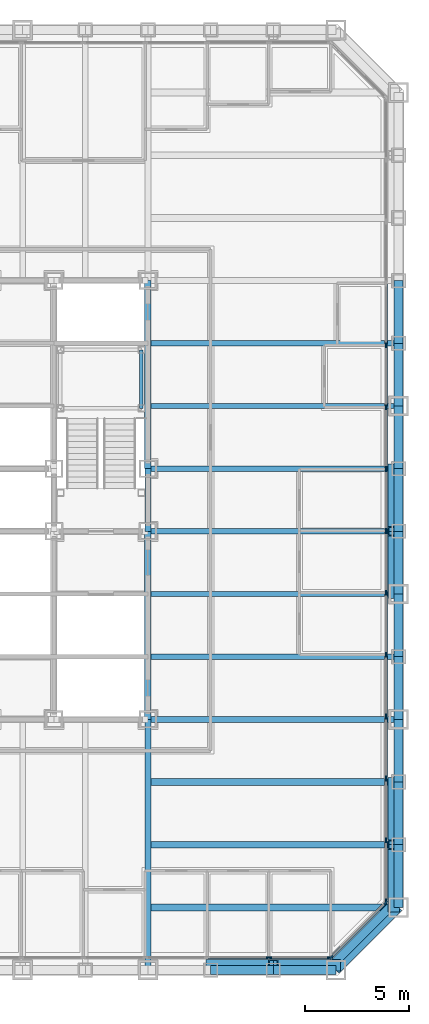
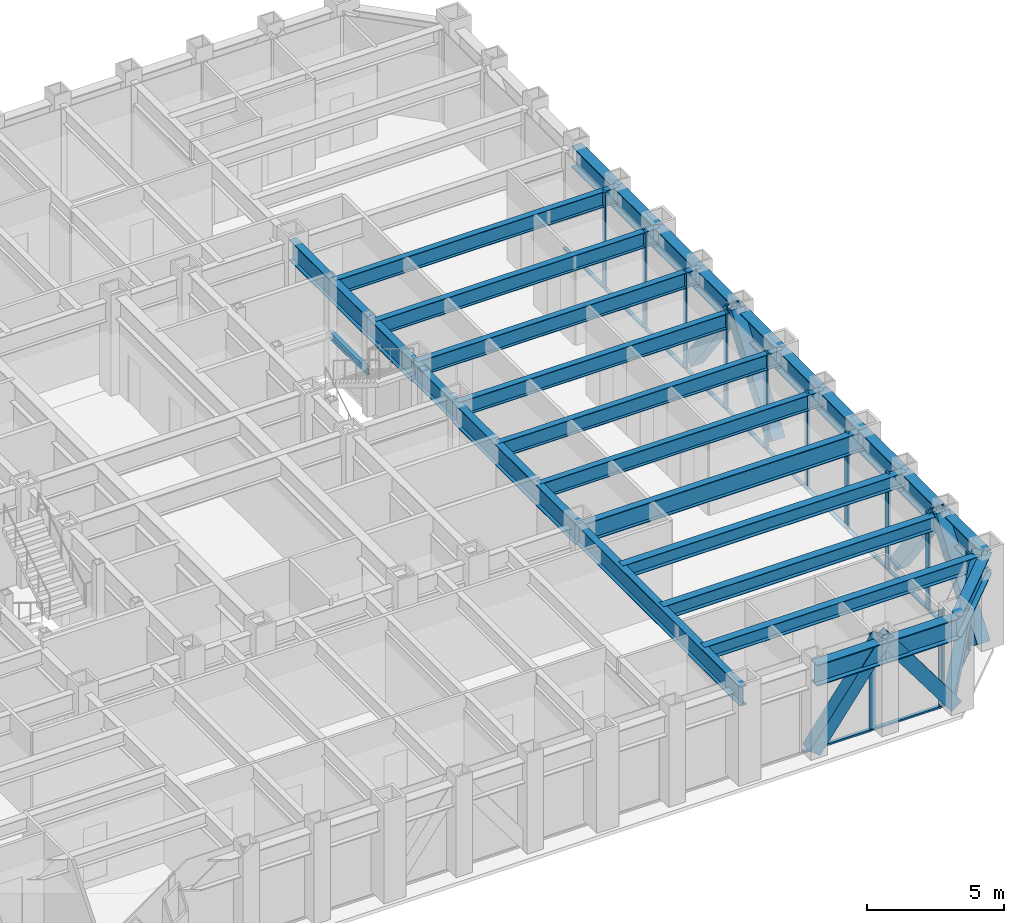
# One storey, part 4 of 16: 34 members, 28 beams, 3 elements without a shape of their own.
"""IFC4 building model written with IfcOpenShell, lengths in metres."""

from ifc_helpers import new_model, si_unit, direction, frame, origin, origin_2d, place, context, subcontext, project, spatial, rectangle, hollow_rectangle, i_section, extrude, material, layer, layer_set, material_profile, profile_set, type_object, element, aggregate, save


model = new_model("IFC4")

# Units and contexts
model_context = context("Model", 3, precision=1e-05, world=origin(), true_north=direction((0.0, 1.0)))
body_context = subcontext(model_context, "Body", "Model", "MODEL_VIEW")
ifc_project = project(units=[si_unit("LENGTHUNIT", "METRE"), si_unit("AREAUNIT", "SQUARE_METRE"), si_unit("VOLUMEUNIT", "CUBIC_METRE"), si_unit("PLANEANGLEUNIT", "RADIAN"), si_unit("MASSUNIT", "GRAM", prefix="KILO")], contexts=[model_context])

# Site, building, storey
site_placement = place(None, origin())
site = spatial("IfcSite", under=ifc_project, at=site_placement, CompositionType="ELEMENT")
building_placement = place(site_placement, origin())
building = spatial("IfcBuilding", under=site, at=building_placement, Name="Chuquiago Exchange Tower", CompositionType="ELEMENT")
storey_placement = place(building_placement, frame((0.0, 0.0, 60.300048828125)))
storey = spatial("IfcBuildingStorey", under=building, at=storey_placement, Name="L12", CompositionType="ELEMENT", Elevation=60.300048828125)

# Beams
ifc_material_1 = material(Name="Steel ASTM A992", Category="steel")
ifc_material_profile_1 = material_profile(ifc_material_1, i_section(OverallWidth=0.307373046875, OverallDepth=0.927001953125, WebThickness=0.01953125, FlangeThickness=0.031982421875, at=origin_2d()), Name="W36X194")
ifc_profile_set_1 = profile_set([ifc_material_profile_1], Name="Steel ASTM A992")
beam_type_1 = type_object("IfcBeamType", Name="B10 W36X194", PredefinedType="BEAM", material=ifc_profile_set_1)
for number, where, z_axis, x_axis, name in (
    (1, (33.0, 12.0, 3.576416015625), (0.0, 1.0, 0.0), (-1.0, 0.0, 0.0), "CB-L13-33_12-33_21"),
    (2, (33.0, 24.0, 3.576416015625), (0.0, 1.0, 0.0), (-1.0, 0.0, 0.0), "CB-L13-33_24-33_33"),
):
    element("IfcBeam", number, at=place(storey_placement, frame(where, z_axis=z_axis, x_axis=x_axis)), inside=storey, type_object=beam_type_1, Name=name, PredefinedType="BEAM", context=body_context, shape_type="SweptSolid", body=[
        extrude(i_section(OverallWidth=0.307373046875, OverallDepth=0.927001953125, WebThickness=0.01953125, FlangeThickness=0.031982421875, at=origin_2d()), origin(), (0.0, 0.0, 1.0), 9.0),
    ])
ifc_material_2 = material(Name="Steel ASTM A992", Category="steel")
ifc_material_profile_2 = material_profile(ifc_material_2, i_section(OverallWidth=0.2919921875, OverallDepth=0.8583984375, WebThickness=0.01708984375, FlangeThickness=0.031005859375, at=origin_2d()), Name="W33X169")
ifc_profile_set_2 = profile_set([ifc_material_profile_2], Name="Steel ASTM A992")
beam_type_2 = type_object("IfcBeamType", Name="B3 W33X169", PredefinedType="BEAM", material=ifc_profile_set_2)
beam_1_placement = place(storey_placement, frame((33.0, 21.0, 3.610595703125), z_axis=(0.0, 1.0, 0.0), x_axis=(-1.0, 0.0, 0.0)))
element("IfcBeam", 3, at=beam_1_placement, inside=storey, type_object=beam_type_2, Name="CB-L13-33_21-33_24", PredefinedType="BEAM", context=body_context, shape_type="SweptSolid", body=[
    extrude(i_section(OverallWidth=0.2919921875, OverallDepth=0.8583984375, WebThickness=0.01708984375, FlangeThickness=0.031005859375, at=origin_2d()), origin(), (0.0, 0.0, 1.0), 3.0),
])
ifc_material_3 = material(Name="Steel ASTM A992", Category="steel")
ifc_material_profile_3 = material_profile(ifc_material_3, i_section(OverallWidth=0.256591796875, OverallDepth=0.693359375, WebThickness=0.014404296875, FlangeThickness=0.023681640625, at=origin_2d()), Name="W27X114")
ifc_profile_set_3 = profile_set([ifc_material_profile_3], Name="Steel ASTM A992")
beam_type_3 = type_object("IfcBeamType", Name="B4 W27X114", PredefinedType="BEAM", material=ifc_profile_set_3)
for number, where, z_axis, x_axis, name in (
    (4, (33.0, 15.0, 3.693359375), (1.0, 0.0, 0.0), (0.0, 1.0, 0.0), "FB-L13-infill-33_15-45_15-0"),
    (5, (33.0, 18.0, 3.693359375), (1.0, 0.0, 0.0), (0.0, 1.0, 0.0), "FB-L13-infill-33_18-45_18-0"),
    (6, (33.0, 21.0, 3.693359375), (1.0, 0.0, 0.0), (0.0, 1.0, 0.0), "FB-L13-infill-33_21-45_21-0"),
    (7, (33.0, 24.0, 3.693359375), (1.0, 0.0, 0.0), (0.0, 1.0, 0.0), "FB-L13-infill-33_24-45_24-0"),
    (8, (33.0, 27.0, 3.693359375), (1.0, 0.0, 0.0), (0.0, 1.0, 0.0), "FB-L13-infill-33_27-45_27-0"),
    (9, (33.0, 30.0, 3.693359375), (1.0, 0.0, 0.0), (0.0, 1.0, 0.0), "FB-L13-infill-33_30-45_30-0"),
):
    element("IfcBeam", number, at=place(storey_placement, frame(where, z_axis=z_axis, x_axis=x_axis)), inside=storey, type_object=beam_type_3, Name=name, PredefinedType="BEAM", context=body_context, shape_type="SweptSolid", body=[
        extrude(i_section(OverallWidth=0.256591796875, OverallDepth=0.693359375, WebThickness=0.014404296875, FlangeThickness=0.023681640625, at=origin_2d()), origin(), (0.0, 0.0, 1.0), 12.0),
    ])
ifc_material_4 = material(Name="Steel ASTM A992", Category="steel")
ifc_material_profile_4 = material_profile(ifc_material_4, i_section(OverallWidth=0.3251953125, OverallDepth=0.6171875, WebThickness=0.013916015625, FlangeThickness=0.021484375, at=origin_2d()), Name="W24X117")
ifc_profile_set_4 = profile_set([ifc_material_profile_4], Name="Steel ASTM A992")
beam_type_4 = type_object("IfcBeamType", Name="B5 W24X117", PredefinedType="BEAM", material=ifc_profile_set_4)
for number, where, z_axis, x_axis, name in (
    (10, (33.0, 3.0, 3.7314453125), (1.0, 0.0, 0.0), (0.0, 1.0, 0.0), "FB-L13-corner-33_3-45_3-0"),
    (11, (33.0, 6.0, 3.7314453125), (1.0, 0.0, 0.0), (0.0, 1.0, 0.0), "FB-L13-corner-33_6-45_6-0"),
    (12, (33.0, 9.0, 3.7314453125), (1.0, 0.0, 0.0), (0.0, 1.0, 0.0), "FB-L13-corner-33_9-45_9-0"),
):
    element("IfcBeam", number, at=place(storey_placement, frame(where, z_axis=z_axis, x_axis=x_axis)), inside=storey, type_object=beam_type_4, Name=name, PredefinedType="BEAM", context=body_context, shape_type="SweptSolid", body=[
        extrude(i_section(OverallWidth=0.3251953125, OverallDepth=0.6171875, WebThickness=0.013916015625, FlangeThickness=0.021484375, at=origin_2d()), origin(), (0.0, 0.0, 1.0), 12.0),
    ])

# Curtain wall, members
ifc_material_5 = material(Name="Aluminium curtain wall system", Category="aluminium")
ifc_layer_1 = layer(ifc_material_5, 0.25)
ifc_layer_set_1 = layer_set([ifc_layer_1], Name="CW1 trading floor curtain wall")
curtain_wall_type_1 = type_object("IfcCurtainWallType", Name="CW1 trading floor curtain wall", PredefinedType="NOTDEFINED", material=ifc_layer_set_1)
curtain_wall_1_placement = place(storey_placement, origin())
curtain_wall_1 = element("IfcCurtainWall", 13, at=curtain_wall_1_placement, inside=storey, type_object=curtain_wall_type_1, Name="CW1 curtain wall L12", PredefinedType="NOTDEFINED")
ifc_material_6 = material(Name="Aluminium mullion, pale anodised", Category="aluminium")
ifc_material_profile_5 = material_profile(ifc_material_6, rectangle(XDim=0.074951171875, YDim=0.25, at=origin_2d()), Name="AL 75x250")
ifc_profile_set_5 = profile_set([ifc_material_profile_5], Name="Aluminium mullion, pale anodised")
member_type_1 = type_object("IfcMemberType", Name="CW1-M mullion 75x250", PredefinedType="MULLION", material=ifc_profile_set_5)
member_1_placement = place(storey_placement, frame((38.789794921875, 0.60009765625, -0.300048828125), z_axis=(0.0, 0.0, 1.0), x_axis=(0.0, 1.0, 0.0)))
member_1 = element("IfcMember", 14, at=member_1_placement, type_object=member_type_1, Name="CW1 mullion 13", PredefinedType="MULLION", context=body_context, shape_type="SweptSolid", body=[
    extrude(rectangle(XDim=0.074951171875, YDim=0.25, at=origin_2d()), origin(), (0.0, 0.0, 1.0), 4.340087890625),
])
member_2_placement = place(storey_placement, frame((41.714111328125, 0.60009765625, -0.300048828125), z_axis=(0.0, 0.0, 1.0), x_axis=(0.0, 1.0, 0.0)))
member_2 = element("IfcMember", 15, at=member_2_placement, type_object=member_type_1, Name="CW1 mullion 14", PredefinedType="MULLION", context=body_context, shape_type="SweptSolid", body=[
    extrude(rectangle(XDim=0.074951171875, YDim=0.25, at=origin_2d()), origin(), (0.0, 0.0, 1.0), 4.340087890625),
])

curtain_wall_2_placement = place(storey_placement, origin())
curtain_wall_2 = element("IfcCurtainWall", 16, at=curtain_wall_2_placement, inside=storey, type_object=curtain_wall_type_1, Name="CW1 curtain wall L12", PredefinedType="NOTDEFINED")
member_3_placement = place(storey_placement, frame((44.39990234375, 3.285888671875, -0.300048828125), z_axis=(0.0, 0.0, 1.0), x_axis=(-1.0, 0.0, 0.0)))
member_3 = element("IfcMember", 17, at=member_3_placement, type_object=member_type_1, Name="CW1 mullion 1", PredefinedType="MULLION", context=body_context, shape_type="SweptSolid", body=[
    extrude(rectangle(XDim=0.074951171875, YDim=0.25, at=origin_2d()), origin(), (0.0, 0.0, 1.0), 4.340087890625),
])
member_4_placement = place(storey_placement, frame((44.39990234375, 6.210205078125, -0.300048828125), z_axis=(0.0, 0.0, 1.0), x_axis=(-1.0, 0.0, 0.0)))
member_4 = element("IfcMember", 18, at=member_4_placement, type_object=member_type_1, Name="CW1 mullion 2", PredefinedType="MULLION", context=body_context, shape_type="SweptSolid", body=[
    extrude(rectangle(XDim=0.074951171875, YDim=0.25, at=origin_2d()), origin(), (0.0, 0.0, 1.0), 4.340087890625),
])
member_5_placement = place(storey_placement, frame((44.39990234375, 9.172119140625, -0.300048828125), z_axis=(0.0, 0.0, 1.0), x_axis=(-1.0, 0.0, 0.0)))
member_5 = element("IfcMember", 19, at=member_5_placement, type_object=member_type_1, Name="CW1 mullion 3", PredefinedType="MULLION", context=body_context, shape_type="SweptSolid", body=[
    extrude(rectangle(XDim=0.074951171875, YDim=0.25, at=origin_2d()), origin(), (0.0, 0.0, 1.0), 4.340087890625),
])
member_6_placement = place(storey_placement, frame((44.39990234375, 12.1337890625, -0.300048828125), z_axis=(0.0, 0.0, 1.0), x_axis=(-1.0, 0.0, 0.0)))
member_6 = element("IfcMember", 20, at=member_6_placement, type_object=member_type_1, Name="CW1 mullion 4", PredefinedType="MULLION", context=body_context, shape_type="SweptSolid", body=[
    extrude(rectangle(XDim=0.074951171875, YDim=0.25, at=origin_2d()), origin(), (0.0, 0.0, 1.0), 4.340087890625),
])
member_7_placement = place(storey_placement, frame((44.39990234375, 15.095458984375, -0.300048828125), z_axis=(0.0, 0.0, 1.0), x_axis=(-1.0, 0.0, 0.0)))
member_7 = element("IfcMember", 21, at=member_7_placement, type_object=member_type_1, Name="CW1 mullion 5", PredefinedType="MULLION", context=body_context, shape_type="SweptSolid", body=[
    extrude(rectangle(XDim=0.074951171875, YDim=0.25, at=origin_2d()), origin(), (0.0, 0.0, 1.0), 4.340087890625),
])
member_8_placement = place(storey_placement, frame((44.39990234375, 18.057373046875, -0.300048828125), z_axis=(0.0, 0.0, 1.0), x_axis=(-1.0, 0.0, 0.0)))
member_8 = element("IfcMember", 22, at=member_8_placement, type_object=member_type_1, Name="CW1 mullion 6", PredefinedType="MULLION", context=body_context, shape_type="SweptSolid", body=[
    extrude(rectangle(XDim=0.074951171875, YDim=0.25, at=origin_2d()), origin(), (0.0, 0.0, 1.0), 4.340087890625),
])
member_9_placement = place(storey_placement, frame((44.39990234375, 21.01904296875, -0.300048828125), z_axis=(0.0, 0.0, 1.0), x_axis=(-1.0, 0.0, 0.0)))
member_9 = element("IfcMember", 23, at=member_9_placement, type_object=member_type_1, Name="CW1 mullion 7", PredefinedType="MULLION", context=body_context, shape_type="SweptSolid", body=[
    extrude(rectangle(XDim=0.074951171875, YDim=0.25, at=origin_2d()), origin(), (0.0, 0.0, 1.0), 4.340087890625),
])
member_10_placement = place(storey_placement, frame((44.39990234375, 23.98095703125, -0.300048828125), z_axis=(0.0, 0.0, 1.0), x_axis=(-1.0, 0.0, 0.0)))
member_10 = element("IfcMember", 24, at=member_10_placement, type_object=member_type_1, Name="CW1 mullion 8", PredefinedType="MULLION", context=body_context, shape_type="SweptSolid", body=[
    extrude(rectangle(XDim=0.074951171875, YDim=0.25, at=origin_2d()), origin(), (0.0, 0.0, 1.0), 4.340087890625),
])
member_11_placement = place(storey_placement, frame((44.39990234375, 26.942626953125, -0.300048828125), z_axis=(0.0, 0.0, 1.0), x_axis=(-1.0, 0.0, 0.0)))
member_11 = element("IfcMember", 25, at=member_11_placement, type_object=member_type_1, Name="CW1 mullion 9", PredefinedType="MULLION", context=body_context, shape_type="SweptSolid", body=[
    extrude(rectangle(XDim=0.074951171875, YDim=0.25, at=origin_2d()), origin(), (0.0, 0.0, 1.0), 4.340087890625),
])
member_12_placement = place(storey_placement, frame((44.39990234375, 29.904541015625, -0.300048828125), z_axis=(0.0, 0.0, 1.0), x_axis=(-1.0, 0.0, 0.0)))
member_12 = element("IfcMember", 26, at=member_12_placement, type_object=member_type_1, Name="CW1 mullion 10", PredefinedType="MULLION", context=body_context, shape_type="SweptSolid", body=[
    extrude(rectangle(XDim=0.074951171875, YDim=0.25, at=origin_2d()), origin(), (0.0, 0.0, 1.0), 4.340087890625),
])

# Member
ifc_material_7 = material(Name="Aluminium transom, pale anodised", Category="aluminium")
ifc_material_profile_6 = material_profile(ifc_material_7, rectangle(XDim=0.14990234375, YDim=0.074951171875, at=origin_2d()), Name="AL 150x75")
ifc_profile_set_6 = profile_set([ifc_material_profile_6], Name="Aluminium transom, pale anodised")
member_type_2 = type_object("IfcMemberType", Name="CW1-T transom 75x150", PredefinedType="MULLION", material=ifc_profile_set_6)
member_13_placement = place(storey_placement, frame((35.865478515625, 0.60009765625, -0.262451171875), z_axis=(1.0, 0.0, 0.0), x_axis=(0.0, 1.0, 0.0)))
member_13 = element("IfcMember", 27, at=member_13_placement, type_object=member_type_2, Name="CW1 transom 12.1", PredefinedType="MULLION", context=body_context, shape_type="SweptSolid", body=[
    extrude(rectangle(XDim=0.14990234375, YDim=0.074951171875, at=origin_2d()), origin(), (0.0, 0.0, 1.0), 2.88671875),
])

member_14_placement = place(storey_placement, frame((38.8271484375, 0.60009765625, -0.262451171875), z_axis=(1.0, 0.0, 0.0), x_axis=(0.0, 1.0, 0.0)))
member_14 = element("IfcMember", 28, at=member_14_placement, type_object=member_type_2, Name="CW1 transom 13.1", PredefinedType="MULLION", context=body_context, shape_type="SweptSolid", body=[
    extrude(rectangle(XDim=0.14990234375, YDim=0.074951171875, at=origin_2d()), origin(), (0.0, 0.0, 1.0), 2.849365234375),
])

aggregate(curtain_wall_1, [member_1, member_2, member_13, member_14])

member_15_placement = place(storey_placement, frame((44.39990234375, 3.323486328125, -0.262451171875), z_axis=(0.0, 1.0, 0.0), x_axis=(-1.0, 0.0, 0.0)))
member_15 = element("IfcMember", 29, at=member_15_placement, type_object=member_type_2, Name="CW1 transom 1.1", PredefinedType="MULLION", context=body_context, shape_type="SweptSolid", body=[
    extrude(rectangle(XDim=0.14990234375, YDim=0.074951171875, at=origin_2d()), origin(), (0.0, 0.0, 1.0), 2.849365234375),
])

member_16_placement = place(storey_placement, frame((44.39990234375, 6.247802734375, -0.262451171875), z_axis=(0.0, 1.0, 0.0), x_axis=(-1.0, 0.0, 0.0)))
member_16 = element("IfcMember", 30, at=member_16_placement, type_object=member_type_2, Name="CW1 transom 2.1", PredefinedType="MULLION", context=body_context, shape_type="SweptSolid", body=[
    extrude(rectangle(XDim=0.14990234375, YDim=0.074951171875, at=origin_2d()), origin(), (0.0, 0.0, 1.0), 2.88671875),
])

member_17_placement = place(storey_placement, frame((44.39990234375, 9.20947265625, -0.262451171875), z_axis=(0.0, 1.0, 0.0), x_axis=(-1.0, 0.0, 0.0)))
member_17 = element("IfcMember", 31, at=member_17_placement, type_object=member_type_2, Name="CW1 transom 3.1", PredefinedType="MULLION", context=body_context, shape_type="SweptSolid", body=[
    extrude(rectangle(XDim=0.14990234375, YDim=0.074951171875, at=origin_2d()), origin(), (0.0, 0.0, 1.0), 2.88671875),
])

member_18_placement = place(storey_placement, frame((44.39990234375, 12.17138671875, -0.262451171875), z_axis=(0.0, 1.0, 0.0), x_axis=(-1.0, 0.0, 0.0)))
member_18 = element("IfcMember", 32, at=member_18_placement, type_object=member_type_2, Name="CW1 transom 4.1", PredefinedType="MULLION", context=body_context, shape_type="SweptSolid", body=[
    extrude(rectangle(XDim=0.14990234375, YDim=0.074951171875, at=origin_2d()), origin(), (0.0, 0.0, 1.0), 2.88671875),
])

member_19_placement = place(storey_placement, frame((44.39990234375, 15.133056640625, -0.262451171875), z_axis=(0.0, 1.0, 0.0), x_axis=(-1.0, 0.0, 0.0)))
member_19 = element("IfcMember", 33, at=member_19_placement, type_object=member_type_2, Name="CW1 transom 5.1", PredefinedType="MULLION", context=body_context, shape_type="SweptSolid", body=[
    extrude(rectangle(XDim=0.14990234375, YDim=0.074951171875, at=origin_2d()), origin(), (0.0, 0.0, 1.0), 2.88671875),
])

member_20_placement = place(storey_placement, frame((44.39990234375, 18.0947265625, -0.262451171875), z_axis=(0.0, 1.0, 0.0), x_axis=(-1.0, 0.0, 0.0)))
member_20 = element("IfcMember", 34, at=member_20_placement, type_object=member_type_2, Name="CW1 transom 6.1", PredefinedType="MULLION", context=body_context, shape_type="SweptSolid", body=[
    extrude(rectangle(XDim=0.14990234375, YDim=0.074951171875, at=origin_2d()), origin(), (0.0, 0.0, 1.0), 2.886962890625),
])

member_21_placement = place(storey_placement, frame((44.39990234375, 21.056640625, -0.262451171875), z_axis=(0.0, 1.0, 0.0), x_axis=(-1.0, 0.0, 0.0)))
member_21 = element("IfcMember", 35, at=member_21_placement, type_object=member_type_2, Name="CW1 transom 7.1", PredefinedType="MULLION", context=body_context, shape_type="SweptSolid", body=[
    extrude(rectangle(XDim=0.14990234375, YDim=0.074951171875, at=origin_2d()), origin(), (0.0, 0.0, 1.0), 2.88671875),
])

member_22_placement = place(storey_placement, frame((44.39990234375, 24.018310546875, -0.262451171875), z_axis=(0.0, 1.0, 0.0), x_axis=(-1.0, 0.0, 0.0)))
member_22 = element("IfcMember", 36, at=member_22_placement, type_object=member_type_2, Name="CW1 transom 8.1", PredefinedType="MULLION", context=body_context, shape_type="SweptSolid", body=[
    extrude(rectangle(XDim=0.14990234375, YDim=0.074951171875, at=origin_2d()), origin(), (0.0, 0.0, 1.0), 2.886962890625),
])

member_23_placement = place(storey_placement, frame((44.39990234375, 26.980224609375, -0.262451171875), z_axis=(0.0, 1.0, 0.0), x_axis=(-1.0, 0.0, 0.0)))
member_23 = element("IfcMember", 37, at=member_23_placement, type_object=member_type_2, Name="CW1 transom 9.1", PredefinedType="MULLION", context=body_context, shape_type="SweptSolid", body=[
    extrude(rectangle(XDim=0.14990234375, YDim=0.074951171875, at=origin_2d()), origin(), (0.0, 0.0, 1.0), 2.88671875),
])

member_24_placement = place(storey_placement, frame((44.39990234375, 29.94189453125, -0.262451171875), z_axis=(0.0, 1.0, 0.0), x_axis=(-1.0, 0.0, 0.0)))
member_24 = element("IfcMember", 38, at=member_24_placement, type_object=member_type_2, Name="CW1 transom 10.1", PredefinedType="MULLION", context=body_context, shape_type="SweptSolid", body=[
    extrude(rectangle(XDim=0.14990234375, YDim=0.074951171875, at=origin_2d()), origin(), (0.0, 0.0, 1.0), 2.88671875),
])

aggregate(curtain_wall_2, [member_3, member_4, member_5, member_6, member_7, member_8, member_9, member_10, member_11, member_12, member_15, member_16, member_17, member_18, member_19, member_20, member_21, member_22, member_23, member_24])

# Curtain wall, members
ifc_material_8 = material(Name="Aluminium curtain wall system", Category="aluminium")
ifc_layer_2 = layer(ifc_material_8, 0.199951171875)
ifc_layer_set_2 = layer_set([ifc_layer_2], Name="CW3 facet curtain wall")
curtain_wall_type_2 = type_object("IfcCurtainWallType", Name="CW3 facet curtain wall", PredefinedType="NOTDEFINED", material=ifc_layer_set_2)
curtain_wall_3_placement = place(storey_placement, origin())
curtain_wall_3 = element("IfcCurtainWall", 39, at=curtain_wall_3_placement, inside=storey, type_object=curtain_wall_type_2, Name="CW3 curtain wall L12", PredefinedType="NOTDEFINED")
ifc_material_9 = material(Name="Aluminium mullion, pale anodised", Category="aluminium")
ifc_material_profile_7 = material_profile(ifc_material_9, rectangle(XDim=0.06494140625, YDim=0.199951171875, at=origin_2d()), Name="AL 65x200")
ifc_profile_set_7 = profile_set([ifc_material_profile_7], Name="Aluminium mullion, pale anodised")
member_type_3 = type_object("IfcMemberType", Name="CW3-M mullion 65x200", PredefinedType="MULLION", material=ifc_profile_set_7)
member_25_placement = place(storey_placement, frame((41.7744140625, 0.623046875, -0.300048828125), z_axis=(0.0, 0.0, 1.0), x_axis=(-0.707106781187, 0.707106781187, 0.0)))
member_25 = element("IfcMember", 40, at=member_25_placement, type_object=member_type_3, Name="CW3 mullion 1", PredefinedType="MULLION", context=body_context, shape_type="SweptSolid", body=[
    extrude(rectangle(XDim=0.06494140625, YDim=0.199951171875, at=origin_2d()), origin(), (0.0, 0.0, 1.0), 4.340087890625),
])
member_26_placement = place(storey_placement, frame((44.376953125, 3.2255859375, -0.300048828125), z_axis=(0.0, 0.0, 1.0), x_axis=(-0.707106781187, 0.707106781187, 0.0)))
member_26 = element("IfcMember", 41, at=member_26_placement, type_object=member_type_3, Name="CW3 mullion 2", PredefinedType="MULLION", context=body_context, shape_type="SweptSolid", body=[
    extrude(rectangle(XDim=0.06494140625, YDim=0.199951171875, at=origin_2d()), origin(), (0.0, 0.0, 1.0), 4.340087890625),
])
ifc_material_10 = material(Name="Aluminium transom, pale anodised", Category="aluminium")
ifc_material_profile_8 = material_profile(ifc_material_10, rectangle(XDim=0.139892578125, YDim=0.06494140625, at=origin_2d()), Name="AL 140x65")
ifc_profile_set_8 = profile_set([ifc_material_profile_8], Name="Aluminium transom, pale anodised")
member_type_4 = type_object("IfcMemberType", Name="CW3-T transom 65x140", PredefinedType="MULLION", material=ifc_profile_set_8)
member_27_placement = place(storey_placement, frame((41.79736328125, 0.64599609375, -0.267578125), z_axis=(0.707106781187, 0.707106781187, 0.0), x_axis=(-0.707106781187, 0.707106781187, 0.0)))
member_27 = element("IfcMember", 42, at=member_27_placement, type_object=member_type_4, Name="CW3 transom 1.1", PredefinedType="MULLION", context=body_context, shape_type="SweptSolid", body=[
    extrude(rectangle(XDim=0.139892578125, YDim=0.06494140625, at=origin_2d()), origin(), (0.0, 0.0, 1.0), 3.61572265625),
])
aggregate(curtain_wall_3, [member_25, member_26, member_27])

# Beams
ifc_material_11 = material(Name="Steel ASTM A992", Category="steel")
ifc_material_profile_9 = material_profile(ifc_material_11, i_section(OverallWidth=0.2919921875, OverallDepth=0.8583984375, WebThickness=0.01708984375, FlangeThickness=0.031005859375, at=origin_2d()), Name="W33X169")
ifc_profile_set_9 = profile_set([ifc_material_profile_9], Name="Steel ASTM A992")
beam_type_5 = type_object("IfcBeamType", Name="G2 W33X169", PredefinedType="BEAM", material=ifc_profile_set_9)
for number, where, z_axis, x_axis, name in (
    (43, (33.0, 12.0, 3.610595703125), (0.0, -1.0, 0.0), (1.0, 0.0, 0.0), "FB-L13-girder-33_12-33_-0-0"),
    (44, (33.0, 12.0, 3.610595703125), (1.0, 0.0, 0.0), (0.0, 1.0, 0.0), "FB-L13-girder-33_12-45_12-0"),
):
    element("IfcBeam", number, at=place(storey_placement, frame(where, z_axis=z_axis, x_axis=x_axis)), inside=storey, type_object=beam_type_5, Name=name, PredefinedType="BEAM", context=body_context, shape_type="SweptSolid", body=[
        extrude(i_section(OverallWidth=0.2919921875, OverallDepth=0.8583984375, WebThickness=0.01708984375, FlangeThickness=0.031005859375, at=origin_2d()), origin(), (0.0, 0.0, 1.0), 12.0),
    ])

# Member
ifc_material_12 = material(Name="Steel ASTM A500 Grade C", Category="steel")
ifc_material_profile_10 = material_profile(ifc_material_12, hollow_rectangle(XDim=0.406494140625, YDim=0.406494140625, WallThickness=0.0146484375, at=origin_2d()), Name="HSS16X16X5/8")
ifc_profile_set_10 = profile_set([ifc_material_profile_10], Name="Steel ASTM A500 Grade C")
member_type_5 = type_object("IfcMemberType", Name="LB4 HSS16X16X5/8", PredefinedType="BRACE", material=ifc_profile_set_10)
member_28_placement = place(storey_placement, frame((41.78662109375, 0.21337890625, 0.0), z_axis=(0.512077265487, 0.512077265487, 0.689604051861), x_axis=(-0.707106781187, 0.707106781187, 0.0)))
element("IfcMember", 45, at=member_28_placement, inside=storey, type_object=member_type_5, Name="LB-L12-42_0-45_3", PredefinedType="BRACE", context=body_context, shape_type="SweptSolid", body=[
    extrude(hollow_rectangle(XDim=0.406494140625, YDim=0.406494140625, WallThickness=0.0146484375, at=origin_2d()), origin(), (0.0, 0.0, 1.0), 5.8583984375),
])

# Beam
ifc_material_13 = material(Name="Steel ASTM A992", Category="steel")
ifc_material_profile_11 = material_profile(ifc_material_13, i_section(OverallWidth=0.164794921875, OverallDepth=0.309814453125, WebThickness=0.005859375, FlangeThickness=0.009765625, at=origin_2d()), Name="W12X26")
ifc_profile_set_11 = profile_set([ifc_material_profile_11], Name="Steel ASTM A992")
beam_type_6 = type_object("IfcBeamType", Name="LS1 W12X26", PredefinedType="BEAM", material=ifc_profile_set_11)
beam_2_placement = place(storey_placement, frame((32.68994140625, 26.889892578125, 1.89501953125), z_axis=(0.0, 1.0, 0.0), x_axis=(-1.0, 0.0, 0.0)))
element("IfcBeam", 46, at=beam_2_placement, inside=storey, type_object=beam_type_6, Name="Stair ST2 L12 landing 1 stringer", PredefinedType="BEAM", context=body_context, shape_type="SweptSolid", body=[
    extrude(i_section(OverallWidth=0.164794921875, OverallDepth=0.309814453125, WebThickness=0.005859375, FlangeThickness=0.009765625, at=origin_2d()), origin(), (0.0, 0.0, 1.0), 2.800048828125),
])

# Members
ifc_material_14 = material(Name="Steel ASTM A572 Grade 50", Category="steel")
ifc_material_profile_12 = material_profile(ifc_material_14, hollow_rectangle(XDim=0.550048828125, YDim=0.550048828125, WallThickness=0.044921875, at=origin_2d()), Name="BOX550X550X45")
ifc_profile_set_12 = profile_set([ifc_material_profile_12], Name="Steel ASTM A572 Grade 50")
member_type_6 = type_object("IfcMemberType", Name="MB1 BOX550X550X45", PredefinedType="BRACE", material=ifc_profile_set_12)
for number, where, z_axis, x_axis, name in (
    (47, (36.0, 0.22998046875, 0.0), (0.596173923302, 0.0, 0.802855312728), (0.0, 1.0, 0.0), "Mega diagonal L12 S face"),
    (48, (42.0, 0.22998046875, 0.0), (-0.596173923302, 0.0, 0.802855312728), (0.0, -1.0, 0.0), "Mega diagonal L12 S face"),
    (49, (44.77001953125, 3.0, 0.0), (0.0, 0.596173923302, 0.802855312728), (-1.0, 0.0, 0.0), "Mega diagonal L12 E face"),
    (50, (44.77001953125, 9.0, 0.0), (0.0, -0.596173923302, 0.802855312728), (1.0, 0.0, 0.0), "Mega diagonal L12 E face"),
    (51, (44.77001953125, 18.0, 0.0), (0.0, 0.596173923302, 0.802855312728), (-1.0, 0.0, 0.0), "Mega diagonal L12 E face"),
    (52, (44.77001953125, 24.0, 0.0), (0.0, -0.596173923302, 0.802855312728), (1.0, 0.0, 0.0), "Mega diagonal L12 E face"),
):
    element("IfcMember", number, at=place(storey_placement, frame(where, z_axis=z_axis, x_axis=x_axis)), inside=storey, type_object=member_type_6, Name=name, PredefinedType="BRACE", context=body_context, shape_type="SweptSolid", body=[
        extrude(hollow_rectangle(XDim=0.550048828125, YDim=0.550048828125, WallThickness=0.044921875, at=origin_2d()), origin(), (0.0, 0.0, 1.0), 5.031982421875),
    ])

# Beams
ifc_material_15 = material(Name="Steel ASTM A992", Category="steel")
ifc_material_profile_13 = material_profile(ifc_material_15, i_section(OverallWidth=0.424072265625, OverallDepth=0.947509765625, WebThickness=0.02392578125, FlangeThickness=0.042724609375, at=origin_2d()), Name="W36X302")
ifc_profile_set_13 = profile_set([ifc_material_profile_13], Name="Steel ASTM A992")
beam_type_7 = type_object("IfcBeamType", Name="SP1 W36X302", PredefinedType="SPANDREL", material=ifc_profile_set_13)
for number, where, z_axis, x_axis, name in (
    (53, (36.0, 0.0, 3.566162109375), (1.0, 0.0, 0.0), (0.0, 1.0, 0.0), "SPB-L13-36_0-39_0"),
    (54, (39.0, 0.0, 3.566162109375), (1.0, 0.0, 0.0), (0.0, 1.0, 0.0), "SPB-L13-39_0-42_0"),
):
    element("IfcBeam", number, at=place(storey_placement, frame(where, z_axis=z_axis, x_axis=x_axis)), inside=storey, type_object=beam_type_7, Name=name, PredefinedType="SPANDREL", context=body_context, shape_type="SweptSolid", body=[
        extrude(i_section(OverallWidth=0.424072265625, OverallDepth=0.947509765625, WebThickness=0.02392578125, FlangeThickness=0.042724609375, at=origin_2d()), origin(), (0.0, 0.0, 1.0), 3.0),
    ])
beam_3_placement = place(storey_placement, frame((42.0, 0.0, 3.566162109375), z_axis=(0.707106781187, 0.707106781187, 0.0), x_axis=(-0.707106781187, 0.707106781187, 0.0)))
element("IfcBeam", 55, at=beam_3_placement, inside=storey, type_object=beam_type_7, Name="SPB-L13-42_0-45_3", PredefinedType="SPANDREL", context=body_context, shape_type="SweptSolid", body=[
    extrude(i_section(OverallWidth=0.424072265625, OverallDepth=0.947509765625, WebThickness=0.02392578125, FlangeThickness=0.042724609375, at=origin_2d()), origin(), (0.0, 0.0, 1.0), 4.24267578125),
])
for number, where, z_axis, x_axis, name in (
    (56, (45.0, 3.0, 3.566162109375), (0.0, 1.0, 0.0), (-1.0, 0.0, 0.0), "SPB-L13-45_3-45_6"),
    (57, (45.0, 6.0, 3.566162109375), (0.0, 1.0, 0.0), (-1.0, 0.0, 0.0), "SPB-L13-45_6-45_9"),
    (58, (45.0, 9.0, 3.566162109375), (0.0, 1.0, 0.0), (-1.0, 0.0, 0.0), "SPB-L13-45_9-45_12"),
    (59, (45.0, 12.0, 3.566162109375), (0.0, 1.0, 0.0), (-1.0, 0.0, 0.0), "SPB-L13-45_12-45_15"),
    (60, (45.0, 15.0, 3.566162109375), (0.0, 1.0, 0.0), (-1.0, 0.0, 0.0), "SPB-L13-45_15-45_18"),
    (61, (45.0, 18.0, 3.566162109375), (0.0, 1.0, 0.0), (-1.0, 0.0, 0.0), "SPB-L13-45_18-45_21"),
    (62, (45.0, 21.0, 3.566162109375), (0.0, 1.0, 0.0), (-1.0, 0.0, 0.0), "SPB-L13-45_21-45_24"),
    (63, (45.0, 24.0, 3.566162109375), (0.0, 1.0, 0.0), (-1.0, 0.0, 0.0), "SPB-L13-45_24-45_27"),
    (64, (45.0, 27.0, 3.566162109375), (0.0, 1.0, 0.0), (-1.0, 0.0, 0.0), "SPB-L13-45_27-45_30"),
    (65, (45.0, 30.0, 3.566162109375), (0.0, 1.0, 0.0), (-1.0, 0.0, 0.0), "SPB-L13-45_30-45_33"),
):
    element("IfcBeam", number, at=place(storey_placement, frame(where, z_axis=z_axis, x_axis=x_axis)), inside=storey, type_object=beam_type_7, Name=name, PredefinedType="SPANDREL", context=body_context, shape_type="SweptSolid", body=[
        extrude(i_section(OverallWidth=0.424072265625, OverallDepth=0.947509765625, WebThickness=0.02392578125, FlangeThickness=0.042724609375, at=origin_2d()), origin(), (0.0, 0.0, 1.0), 3.0),
    ])

save(model, "model.ifc")
